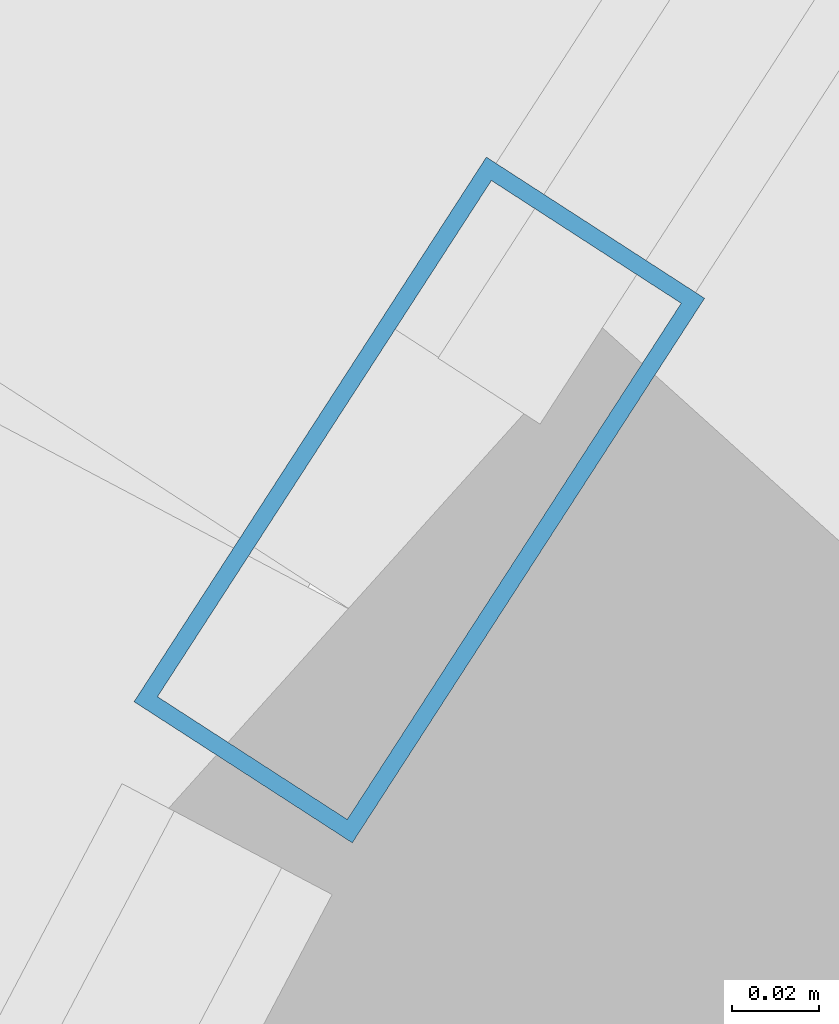
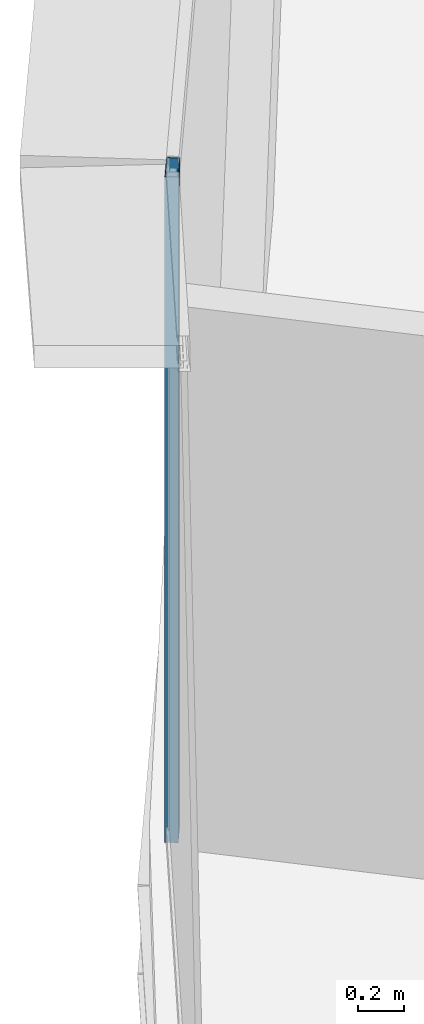
# One storey, part 16 of 40: 1 member, 1 element without a shape of its own.
"""IFC4 building model written with IfcOpenShell, lengths in metres."""

from ifc_helpers import new_model, si_unit, direction, frame, origin, origin_2d, place, context, subcontext, project, spatial, hollow_rectangle, extrude, source, transform, mapped, material, layer, layer_set, material_profile, profile_set, type_object, element, aggregate, save


model = new_model("IFC4")

# Units and contexts
model_context = context("Model", 3, precision=1e-05, world=origin(), true_north=direction((0.0, 1.0)))
body_context = subcontext(model_context, "Body", "Model", "MODEL_VIEW")
ifc_project = project(units=[si_unit("LENGTHUNIT", "METRE"), si_unit("AREAUNIT", "SQUARE_METRE"), si_unit("VOLUMEUNIT", "CUBIC_METRE"), si_unit("PLANEANGLEUNIT", "RADIAN"), si_unit("MASSUNIT", "GRAM", prefix="KILO"), si_unit("THERMODYNAMICTEMPERATUREUNIT", "KELVIN"), si_unit("POWERUNIT", "WATT")], contexts=[model_context])

# Site, building, storey
site_placement = place(None, origin())
site = spatial("IfcSite", under=ifc_project, at=site_placement, CompositionType="ELEMENT")
building_placement = place(site_placement, origin())
building = spatial("IfcBuilding", under=site, at=building_placement, Name="Yunzhuo Pagoda Commons", CompositionType="ELEMENT")
storey_placement = place(building_placement, frame((0.0, 0.0, 180.9599609375)))
storey = spatial("IfcBuildingStorey", under=building, at=storey_placement, Name="L45", CompositionType="ELEMENT", Elevation=180.9599609375)

# Curtain wall, member
ifc_material = material(Name="Anodized aluminium 6063-T6", Category="aluminium")
ifc_layer = layer(ifc_material, 0.14990234375)
ifc_layer_set = layer_set([ifc_layer], Name="Anodized aluminium 6063-T6")
curtain_wall_type = type_object("IfcCurtainWallType", Name="CW-MID Mid-Zone Ribbon Curtain Wall", PredefinedType="NOTDEFINED", material=ifc_layer_set)
curtain_wall_placement = place(storey_placement, origin())
curtain_wall = element("IfcCurtainWall", 1, at=curtain_wall_placement, inside=storey, type_object=curtain_wall_type, Name="L45 curtain wall CW-L45-F3B2", PredefinedType="NOTDEFINED")
ifc_material_profile = material_profile(ifc_material, hollow_rectangle(XDim=0.06005859375, YDim=0.14990234375, WallThickness=0.00390625, at=origin_2d()), Name="Anodized aluminium 6063-T6")
ifc_profile_set = profile_set([ifc_material_profile], Name="Anodized aluminium 6063-T6")
member_type = type_object("IfcMemberType", Name="CW-MID-M Mullion RHS 150x60x4", PredefinedType="MULLION", material=ifc_profile_set)
shared_shape = source(origin(), body_context, "Body", "SweptSolid", [
    extrude(hollow_rectangle(XDim=0.06005859375, YDim=0.14990234375, WallThickness=0.00390625, at=origin_2d()), origin(), (0.0, 0.0, 1.0), 3.5400390625),
])
member_placement = place(storey_placement, frame((23.680908203125, 55.636962890625, 0.0), z_axis=(0.0, 0.0, 1.0), x_axis=(0.839626850374, -0.543163651335, 0.0)))
member = element("IfcMember", 2, at=member_placement, type_object=member_type, Name="CW mullion 2", PredefinedType="MULLION", context=body_context, shape_type="MappedRepresentation", body=[
    mapped(shared_shape, transform((0.0, 0.0, 0.0), scale=1.0)),
])
aggregate(curtain_wall, [member])

save(model, "model.ifc")
